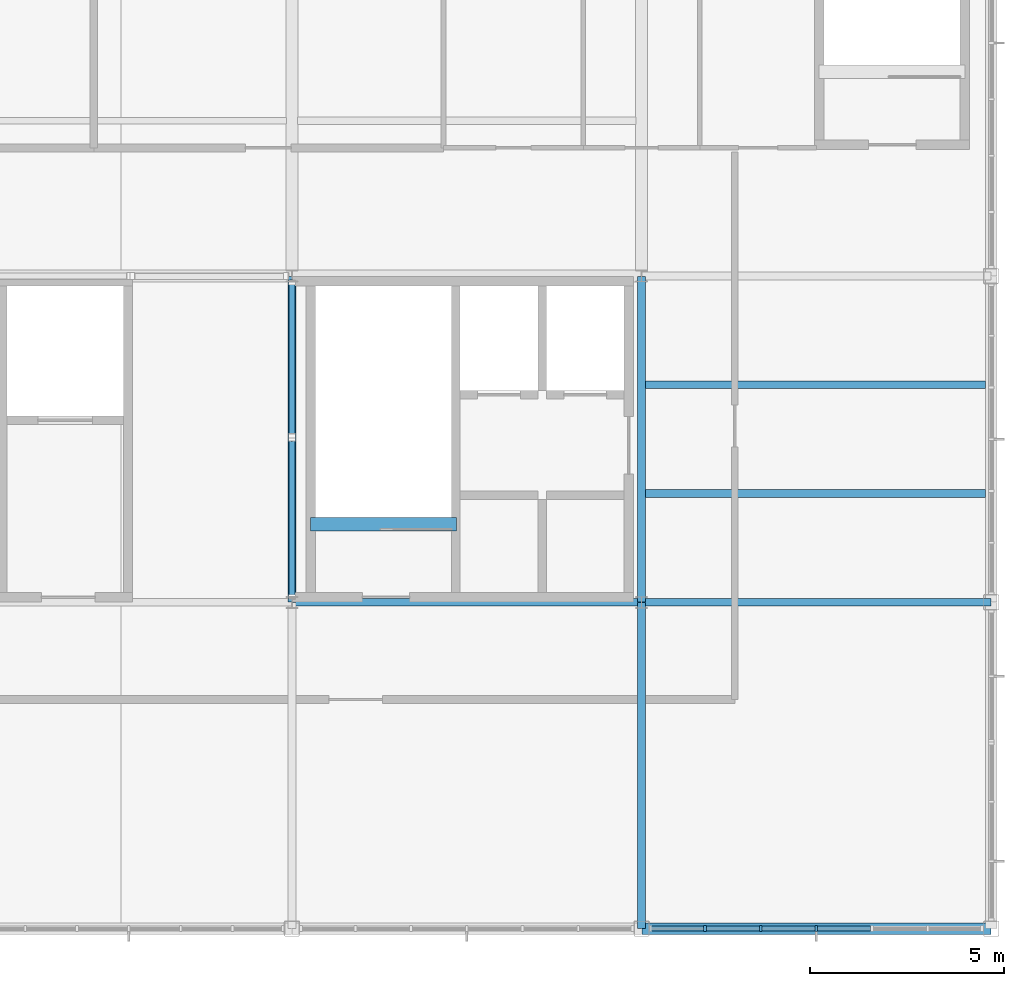
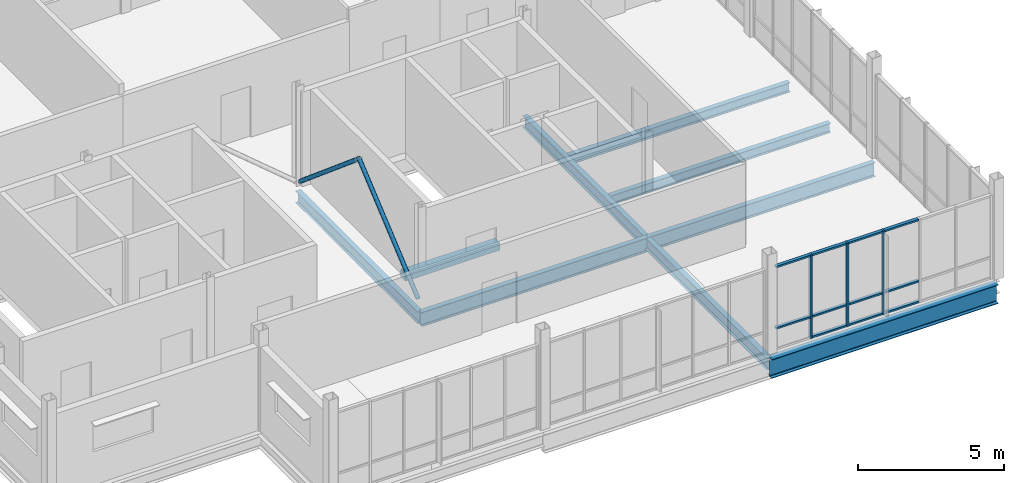
# One storey, part 5 of 15: 16 members, 9 beams, 1 element without a shape of its own.
"""IFC4 building model written with IfcOpenShell, lengths in metres."""

from ifc_helpers import new_model, si_unit, direction, frame, origin, origin_2d, place, context, subcontext, project, spatial, rectangle, hollow_circle, i_section, extrude, material, layer, layer_set, material_profile, profile_set, type_object, element, aggregate, save


model = new_model("IFC4")

# Units and contexts
model_context = context("Model", 3, precision=1e-05, world=origin(), true_north=direction((0.0, 1.0)))
body_context = subcontext(model_context, "Body", "Model", "MODEL_VIEW")
ifc_project = project(units=[si_unit("LENGTHUNIT", "METRE"), si_unit("AREAUNIT", "SQUARE_METRE"), si_unit("VOLUMEUNIT", "CUBIC_METRE"), si_unit("PLANEANGLEUNIT", "RADIAN"), si_unit("MASSUNIT", "GRAM", prefix="KILO")], contexts=[model_context])

# Site, building, storey
site_placement = place(None, origin())
site = spatial("IfcSite", under=ifc_project, at=site_placement, CompositionType="ELEMENT")
building_placement = place(site_placement, origin())
building = spatial("IfcBuilding", under=site, at=building_placement, Name="Yukiwa Park Conservatory and Herbarium", CompositionType="ELEMENT")
storey_placement = place(building_placement, frame((0.0, 0.0, 61.199951171875)))
storey = spatial("IfcBuildingStorey", under=building, at=storey_placement, Name="L16", CompositionType="ELEMENT", Elevation=61.199951171875)

# Beams
ifc_material_1 = material(Name="Steel Q355D", Category="steel")
ifc_material_profile_1 = material_profile(ifc_material_1, i_section(OverallWidth=0.199951171875, OverallDepth=0.5, WebThickness=0.010009765625, FlangeThickness=0.01611328125, FilletRadius=0.02001953125, at=origin_2d()), Name="HN 500x200x10x16")
ifc_profile_set_1 = profile_set([ifc_material_profile_1], Name="Steel Q355D")
beam_type_1 = type_object("IfcBeamType", Name="BM-GRD-HN500", PredefinedType="BEAM", material=ifc_profile_set_1)
beam_1_placement = place(storey_placement, frame((150.0, 94.805908203125, -0.52001953125), z_axis=(0.0, 1.0, 0.0), x_axis=(-1.0, 0.0, 0.0)))
element("IfcBeam", 1, at=beam_1_placement, inside=storey, type_object=beam_type_1, Name="L16 grid girder Y-24", PredefinedType="BEAM", context=body_context, shape_type="SweptSolid", body=[
    extrude(i_section(OverallWidth=0.199951171875, OverallDepth=0.5, WebThickness=0.010009765625, FlangeThickness=0.01611328125, FilletRadius=0.02001953125, at=origin_2d()), origin(), (0.0, 0.0, 1.0), 8.38818359375),
])
beam_2_placement = place(storey_placement, frame((159.0, 86.406005859375, -0.52001953125), z_axis=(0.0, 1.0, 0.0), x_axis=(-1.0, 0.0, 0.0)))
element("IfcBeam", 2, at=beam_2_placement, inside=storey, type_object=beam_type_1, Name="L16 grid girder Y-26", PredefinedType="BEAM", context=body_context, shape_type="SweptSolid", body=[
    extrude(i_section(OverallWidth=0.199951171875, OverallDepth=0.5, WebThickness=0.010009765625, FlangeThickness=0.01611328125, FilletRadius=0.02001953125, at=origin_2d()), origin(), (0.0, 0.0, 1.0), 8.387939453125),
])
beam_3_placement = place(storey_placement, frame((159.0, 94.805908203125, -0.52001953125), z_axis=(0.0, 1.0, 0.0), x_axis=(-1.0, 0.0, 0.0)))
element("IfcBeam", 3, at=beam_3_placement, inside=storey, type_object=beam_type_1, Name="L16 grid girder Y-27", PredefinedType="BEAM", context=body_context, shape_type="SweptSolid", body=[
    extrude(i_section(OverallWidth=0.199951171875, OverallDepth=0.5, WebThickness=0.010009765625, FlangeThickness=0.01611328125, FilletRadius=0.02001953125, at=origin_2d()), origin(), (0.0, 0.0, 1.0), 8.38818359375),
])
ifc_material_2 = material(Name="Steel Q355D", Category="steel")
ifc_material_profile_2 = material_profile(ifc_material_2, i_section(OverallWidth=0.198974609375, OverallDepth=0.595947265625, WebThickness=0.010009765625, FlangeThickness=0.014892578125, FilletRadius=0.02197265625, at=origin_2d()), Name="HN 596x199x10x15")
ifc_profile_set_2 = profile_set([ifc_material_profile_2], Name="Steel Q355D")
beam_type_2 = type_object("IfcBeamType", Name="BM-GRD-HN596", PredefinedType="BEAM", material=ifc_profile_set_2)
for number, where, z_axis, x_axis, name in (
    (4, (150.006103515625, 94.800048828125, -0.56787109375), (1.0, 0.0, 0.0), (0.0, 1.0, 0.0), "L16 grid beam X-7"),
    (5, (159.006103515625, 94.800048828125, -0.56787109375), (1.0, 0.0, 0.0), (0.0, 1.0, 0.0), "L16 grid beam X-8"),
):
    element("IfcBeam", number, at=place(storey_placement, frame(where, z_axis=z_axis, x_axis=x_axis)), inside=storey, type_object=beam_type_2, Name=name, PredefinedType="BEAM", context=body_context, shape_type="SweptSolid", body=[
        extrude(i_section(OverallWidth=0.198974609375, OverallDepth=0.595947265625, WebThickness=0.010009765625, FlangeThickness=0.014892578125, FilletRadius=0.02197265625, at=origin_2d()), origin(), (0.0, 0.0, 1.0), 8.98779296875),
    ])
ifc_material_3 = material(Name="Steel Q355D", Category="steel")
ifc_material_profile_3 = material_profile(ifc_material_3, i_section(OverallWidth=0.198974609375, OverallDepth=0.39599609375, WebThickness=0.007080078125, FlangeThickness=0.010986328125, FilletRadius=0.01611328125, at=origin_2d()), Name="HN 396x199x7x11")
ifc_profile_set_3 = profile_set([ifc_material_profile_3], Name="Steel Q355D")
beam_type_3 = type_object("IfcBeamType", Name="BM-JST-HN396", PredefinedType="JOIST", material=ifc_profile_set_3)
for number, where, z_axis, x_axis, name in (
    (6, (159.095947265625, 97.60009765625, -0.468017578125), (1.0, 0.0, 0.0), (0.0, 1.0, 0.0), "L16 composite floor joist 8"),
    (7, (159.095947265625, 100.39990234375, -0.468017578125), (1.0, 0.0, 0.0), (0.0, 1.0, 0.0), "L16 composite floor joist 9"),
):
    element("IfcBeam", number, at=place(storey_placement, frame(where, z_axis=z_axis, x_axis=x_axis)), inside=storey, type_object=beam_type_3, Name=name, PredefinedType="JOIST", context=body_context, shape_type="SweptSolid", body=[
        extrude(i_section(OverallWidth=0.198974609375, OverallDepth=0.39599609375, WebThickness=0.007080078125, FlangeThickness=0.010986328125, FilletRadius=0.01611328125, at=origin_2d()), origin(), (0.0, 0.0, 1.0), 8.758056640625),
    ])
ifc_material_4 = material(Name="Steel Q355D", Category="steel")
ifc_material_profile_4 = material_profile(ifc_material_4, i_section(OverallWidth=0.300048828125, OverallDepth=0.7919921875, WebThickness=0.013916015625, FlangeThickness=0.02197265625, FilletRadius=0.028076171875, at=origin_2d()), Name="HN 792x300x14x22")
ifc_profile_set_4 = profile_set([ifc_material_profile_4], Name="Steel Q355D")
beam_type_4 = type_object("IfcBeamType", Name="BM-SPN-HN600", PredefinedType="SPANDREL", material=ifc_profile_set_4)
beam_4_placement = place(storey_placement, frame((159.006103515625, 86.39990234375, -0.666015625), z_axis=(1.0, 0.0, 0.0), x_axis=(0.0, 1.0, 0.0)))
element("IfcBeam", 8, at=beam_4_placement, inside=storey, type_object=beam_type_4, Name="L16 spandrel beam X-3", PredefinedType="SPANDREL", context=body_context, shape_type="SweptSolid", body=[
    extrude(i_section(OverallWidth=0.300048828125, OverallDepth=0.7919921875, WebThickness=0.013916015625, FlangeThickness=0.02197265625, FilletRadius=0.028076171875, at=origin_2d()), origin(), (0.0, 0.0, 1.0), 8.98779296875),
])
ifc_material_5 = material(Name="Concrete C40", Category="concrete")
ifc_material_profile_5 = material_profile(ifc_material_5, rectangle(XDim=0.35009765625, YDim=0.300048828125, at=origin_2d()), Name="RC 350x300")
ifc_profile_set_5 = profile_set([ifc_material_profile_5], Name="Concrete C40")
beam_type_5 = type_object("IfcBeamType", Name="BM-STAIR-TRIM", PredefinedType="BEAM", material=ifc_profile_set_5)
beam_5_placement = place(storey_placement, frame((150.47998046875, 96.81005859375, -0.14990234375), z_axis=(1.0, 0.0, 0.0), x_axis=(0.0, 1.0, 0.0)))
element("IfcBeam", 9, at=beam_5_placement, inside=storey, type_object=beam_type_5, Name="Stair ST-T2 L16 landing trimmer beam", PredefinedType="BEAM", context=body_context, shape_type="SweptSolid", body=[
    extrude(rectangle(XDim=0.35009765625, YDim=0.300048828125, at=origin_2d()), origin(), (0.0, 0.0, 1.0), 3.75),
])

# Members
ifc_material_6 = material(Name="Steel Q355D", Category="steel")
ifc_material_profile_6 = material_profile(ifc_material_6, hollow_circle(Radius=0.084228515625, WallThickness=0.008056640625, at=origin_2d()), Name="CHS 168.3x8")
ifc_profile_set_6 = profile_set([ifc_material_profile_6], Name="Steel Q355D")
member_type_1 = type_object("IfcMemberType", Name="MB-BR-CHS168", PredefinedType="BRACE", material=ifc_profile_set_6)
for number, where, z_axis, x_axis, name in (
    (10, (150.0, 94.945556640625, 0.17236328125), (0.0, 0.765066481142, 0.643951302066), (-1.0, 0.0, 0.0), "L16 concentric chevron brace 79"),
    (11, (150.0, 103.054443359375, 0.17236328125), (0.0, -0.765066481142, 0.643951302066), (1.0, 0.0, 0.0), "L16 concentric chevron brace 80"),
):
    element("IfcMember", number, at=place(storey_placement, frame(where, z_axis=z_axis, x_axis=x_axis)), inside=storey, type_object=member_type_1, Name=name, PredefinedType="BRACE", context=body_context, shape_type="SweptSolid", body=[
        extrude(hollow_circle(Radius=0.084228515625, WallThickness=0.008056640625, at=origin_2d()), origin(), (0.0, 0.0, 1.0), 5.299560546875),
    ])

# Curtain wall, members
ifc_material_7 = material(Name="Triple Low-E Insulated Glass", Category="glass")
ifc_layer = layer(ifc_material_7, 0.2119140625)
ifc_layer_set = layer_set([ifc_layer], Name="Triple Low-E Insulated Glass")
curtain_wall_type = type_object("IfcCurtainWallType", Name="CW-TOWER-SKY-1400", PredefinedType="NOTDEFINED", material=ifc_layer_set)
curtain_wall_placement = place(storey_placement, origin())
curtain_wall = element("IfcCurtainWall", 12, at=curtain_wall_placement, inside=storey, type_object=curtain_wall_type, Name="L16 unitised curtain wall CW-L16-154", PredefinedType="NOTDEFINED")
ifc_material_8 = material(Name="Anodised Aluminium", Category="aluminium")
member_type_2 = type_object("IfcMemberType", Name="MB-CW-MUL-70X150", PredefinedType="MULLION", material=ifc_material_8)
member_1_placement = place(storey_placement, frame((160.63330078125, 86.39990234375, 0.0), z_axis=(0.0, 0.0, 1.0), x_axis=(1.0, 0.0, 0.0)))
member_1 = element("IfcMember", 13, at=member_1_placement, type_object=member_type_2, Name="CW-L16-154 mullion 2", PredefinedType="MULLION", context=body_context, shape_type="SweptSolid", body=[
    extrude(rectangle(XDim=0.070068359375, YDim=0.14990234375, at=origin_2d()), origin(), (0.0, 0.0, 1.0), 3.510009765625),
])
member_2_placement = place(storey_placement, frame((162.066650390625, 86.39990234375, 0.0), z_axis=(0.0, 0.0, 1.0), x_axis=(1.0, 0.0, 0.0)))
member_2 = element("IfcMember", 14, at=member_2_placement, type_object=member_type_2, Name="CW-L16-154 mullion 3", PredefinedType="MULLION", context=body_context, shape_type="SweptSolid", body=[
    extrude(rectangle(XDim=0.070068359375, YDim=0.14990234375, at=origin_2d()), origin(), (0.0, 0.0, 1.0), 3.510009765625),
])
member_3_placement = place(storey_placement, frame((163.5, 86.39990234375, 0.0), z_axis=(0.0, 0.0, 1.0), x_axis=(1.0, 0.0, 0.0)))
member_3 = element("IfcMember", 15, at=member_3_placement, type_object=member_type_2, Name="CW-L16-154 mullion 4", PredefinedType="MULLION", context=body_context, shape_type="SweptSolid", body=[
    extrude(rectangle(XDim=0.070068359375, YDim=0.14990234375, at=origin_2d()), origin(), (0.0, 0.0, 1.0), 3.510009765625),
])
ifc_material_9 = material(Name="Anodised Aluminium", Category="aluminium")
member_type_3 = type_object("IfcMemberType", Name="MB-CW-TRN-70X130", PredefinedType="USERDEFINED", material=ifc_material_9)
member_4_placement = place(storey_placement, frame((159.916748046875, 86.39990234375, 0.865234375), z_axis=(0.0, 0.0, 1.0), x_axis=(1.0, 0.0, 0.0)))
member_4 = element("IfcMember", 16, at=member_4_placement, type_object=member_type_3, Name="CW-L16-154 transom 1.2", ObjectType="TRANSOM", PredefinedType="USERDEFINED", context=body_context, shape_type="SweptSolid", body=[
    extrude(rectangle(XDim=1.36328125, YDim=0.1298828125, at=origin_2d()), origin(), (0.0, 0.0, 1.0), 0.070068359375),
])
member_5_placement = place(storey_placement, frame((159.916748046875, 86.39990234375, 3.43994140625), z_axis=(0.0, 0.0, 1.0), x_axis=(1.0, 0.0, 0.0)))
member_5 = element("IfcMember", 17, at=member_5_placement, type_object=member_type_3, Name="CW-L16-154 transom 1.3", ObjectType="TRANSOM", PredefinedType="USERDEFINED", context=body_context, shape_type="SweptSolid", body=[
    extrude(rectangle(XDim=1.36328125, YDim=0.1298828125, at=origin_2d()), origin(), (0.0, 0.0, 1.0), 0.070068359375),
])
member_6_placement = place(storey_placement, frame((161.35009765625, 86.39990234375, 0.0), z_axis=(0.0, 0.0, 1.0), x_axis=(1.0, 0.0, 0.0)))
member_6 = element("IfcMember", 18, at=member_6_placement, type_object=member_type_3, Name="CW-L16-154 transom 2.1", ObjectType="TRANSOM", PredefinedType="USERDEFINED", context=body_context, shape_type="SweptSolid", body=[
    extrude(rectangle(XDim=1.36328125, YDim=0.1298828125, at=origin_2d()), origin(), (0.0, 0.0, 1.0), 0.070068359375),
])
member_7_placement = place(storey_placement, frame((161.35009765625, 86.39990234375, 0.865234375), z_axis=(0.0, 0.0, 1.0), x_axis=(1.0, 0.0, 0.0)))
member_7 = element("IfcMember", 19, at=member_7_placement, type_object=member_type_3, Name="CW-L16-154 transom 2.2", ObjectType="TRANSOM", PredefinedType="USERDEFINED", context=body_context, shape_type="SweptSolid", body=[
    extrude(rectangle(XDim=1.36328125, YDim=0.1298828125, at=origin_2d()), origin(), (0.0, 0.0, 1.0), 0.070068359375),
])
member_8_placement = place(storey_placement, frame((161.35009765625, 86.39990234375, 3.43994140625), z_axis=(0.0, 0.0, 1.0), x_axis=(1.0, 0.0, 0.0)))
member_8 = element("IfcMember", 20, at=member_8_placement, type_object=member_type_3, Name="CW-L16-154 transom 2.3", ObjectType="TRANSOM", PredefinedType="USERDEFINED", context=body_context, shape_type="SweptSolid", body=[
    extrude(rectangle(XDim=1.36328125, YDim=0.1298828125, at=origin_2d()), origin(), (0.0, 0.0, 1.0), 0.070068359375),
])
member_9_placement = place(storey_placement, frame((162.783203125, 86.39990234375, 0.0), z_axis=(0.0, 0.0, 1.0), x_axis=(1.0, 0.0, 0.0)))
member_9 = element("IfcMember", 21, at=member_9_placement, type_object=member_type_3, Name="CW-L16-154 transom 3.1", ObjectType="TRANSOM", PredefinedType="USERDEFINED", context=body_context, shape_type="SweptSolid", body=[
    extrude(rectangle(XDim=1.36328125, YDim=0.1298828125, at=origin_2d()), origin(), (0.0, 0.0, 1.0), 0.070068359375),
])
member_10_placement = place(storey_placement, frame((162.783203125, 86.39990234375, 0.865234375), z_axis=(0.0, 0.0, 1.0), x_axis=(1.0, 0.0, 0.0)))
member_10 = element("IfcMember", 22, at=member_10_placement, type_object=member_type_3, Name="CW-L16-154 transom 3.2", ObjectType="TRANSOM", PredefinedType="USERDEFINED", context=body_context, shape_type="SweptSolid", body=[
    extrude(rectangle(XDim=1.36328125, YDim=0.1298828125, at=origin_2d()), origin(), (0.0, 0.0, 1.0), 0.070068359375),
])
member_11_placement = place(storey_placement, frame((162.783203125, 86.39990234375, 3.43994140625), z_axis=(0.0, 0.0, 1.0), x_axis=(1.0, 0.0, 0.0)))
member_11 = element("IfcMember", 23, at=member_11_placement, type_object=member_type_3, Name="CW-L16-154 transom 3.3", ObjectType="TRANSOM", PredefinedType="USERDEFINED", context=body_context, shape_type="SweptSolid", body=[
    extrude(rectangle(XDim=1.36328125, YDim=0.1298828125, at=origin_2d()), origin(), (0.0, 0.0, 1.0), 0.070068359375),
])
member_12_placement = place(storey_placement, frame((164.216796875, 86.39990234375, 0.0), z_axis=(0.0, 0.0, 1.0), x_axis=(1.0, 0.0, 0.0)))
member_12 = element("IfcMember", 24, at=member_12_placement, type_object=member_type_3, Name="CW-L16-154 transom 4.1", ObjectType="TRANSOM", PredefinedType="USERDEFINED", context=body_context, shape_type="SweptSolid", body=[
    extrude(rectangle(XDim=1.36328125, YDim=0.1298828125, at=origin_2d()), origin(), (0.0, 0.0, 1.0), 0.070068359375),
])
member_13_placement = place(storey_placement, frame((164.216796875, 86.39990234375, 0.865234375), z_axis=(0.0, 0.0, 1.0), x_axis=(1.0, 0.0, 0.0)))
member_13 = element("IfcMember", 25, at=member_13_placement, type_object=member_type_3, Name="CW-L16-154 transom 4.2", ObjectType="TRANSOM", PredefinedType="USERDEFINED", context=body_context, shape_type="SweptSolid", body=[
    extrude(rectangle(XDim=1.36328125, YDim=0.1298828125, at=origin_2d()), origin(), (0.0, 0.0, 1.0), 0.070068359375),
])
member_14_placement = place(storey_placement, frame((164.216796875, 86.39990234375, 3.43994140625), z_axis=(0.0, 0.0, 1.0), x_axis=(1.0, 0.0, 0.0)))
member_14 = element("IfcMember", 26, at=member_14_placement, type_object=member_type_3, Name="CW-L16-154 transom 4.3", ObjectType="TRANSOM", PredefinedType="USERDEFINED", context=body_context, shape_type="SweptSolid", body=[
    extrude(rectangle(XDim=1.36328125, YDim=0.1298828125, at=origin_2d()), origin(), (0.0, 0.0, 1.0), 0.070068359375),
])
aggregate(curtain_wall, [member_1, member_2, member_3, member_4, member_5, member_6, member_7, member_8, member_9, member_10, member_11, member_12, member_13, member_14])

save(model, "model.ifc")
